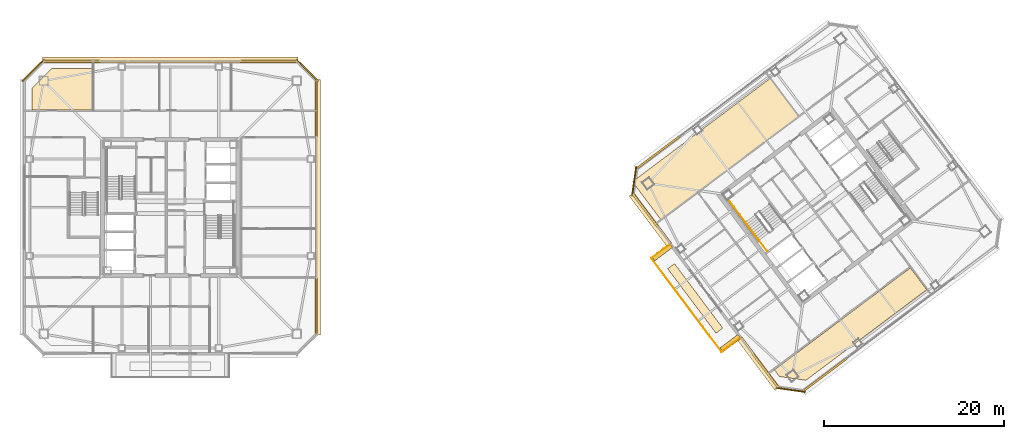
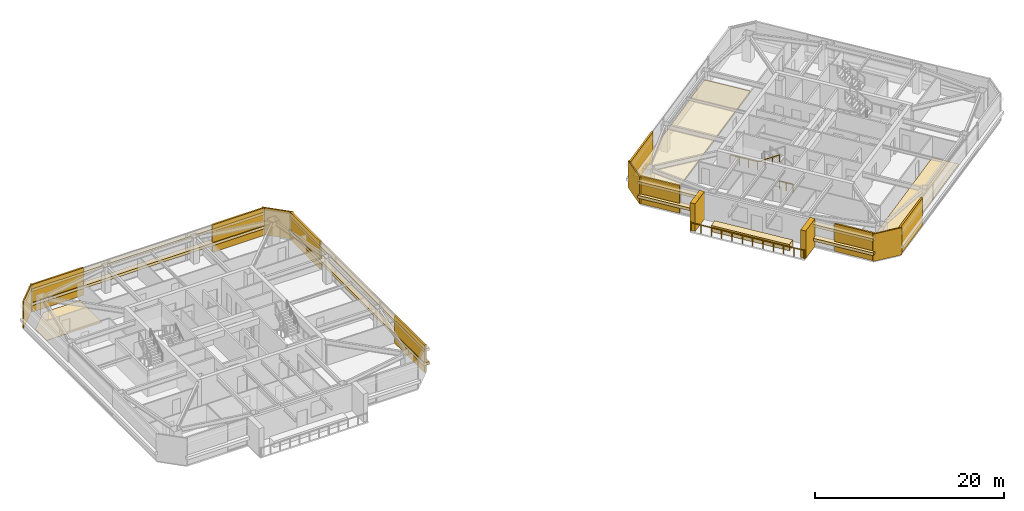
# One storey, part 36 of 39: 26 coverings, 6 railings.
"""IFC4 building model written with IfcOpenShell, lengths in metres."""

from ifc_helpers import new_model, si_unit, direction, frame, origin, origin_2d, place, context, subcontext, project, spatial, polyline, rectangle, outline, extrude, material, layer, layer_set, type_object, element, save


model = new_model("IFC4")

# Units and contexts
model_context = context("Model", 3, precision=1e-05, world=origin(), true_north=direction((0.0, 1.0)))
body_context = subcontext(model_context, "Body", "Model", "MODEL_VIEW")
ifc_project = project(units=[si_unit("LENGTHUNIT", "METRE"), si_unit("AREAUNIT", "SQUARE_METRE"), si_unit("VOLUMEUNIT", "CUBIC_METRE"), si_unit("PLANEANGLEUNIT", "RADIAN"), si_unit("MASSUNIT", "GRAM", prefix="KILO")], contexts=[model_context])

# Site, building, storey
site_placement = place(None, origin())
site = spatial("IfcSite", under=ifc_project, at=site_placement, CompositionType="ELEMENT")
building_placement = place(site_placement, origin())
building = spatial("IfcBuilding", under=site, at=building_placement, Name="Tashvorn Skyway Center", CompositionType="ELEMENT")
storey_placement = place(building_placement, frame((0.0, 0.0, 225.5)))
storey = spatial("IfcBuildingStorey", under=building, at=storey_placement, Name="L61", CompositionType="ELEMENT", Elevation=225.5)

# Coverings
ifc_material_1 = material(Name="Precast concrete C40/50", Category="concrete")
ifc_layer_1 = layer(ifc_material_1, 0.199951171875)
ifc_layer_set_1 = layer_set([ifc_layer_1], Name="Precast concrete C40/50")
covering_type_1 = type_object("IfcCoveringType", Name="COV-BRACE-CLAD", PredefinedType="CLADDING", material=ifc_layer_set_1)
for number, where, z_axis, x_axis, name in (
    (1, (30.97119140625, 48.280029296875, 0.0), (0.0, 0.0, 1.0), (1.0, 0.0, 0.0), "Tower 1 L61 North Unitised Curtain Wall Mega-Brace Cladding Band 1"),
    (2, (53.02880859375, 48.280029296875, 0.0), (0.0, 0.0, 1.0), (1.0, 0.0, 0.0), "Tower 1 L61 North Unitised Curtain Wall Mega-Brace Cladding Band 2"),
    (3, (58.280029296875, 43.02880859375, 0.0), (0.0, 0.0, 1.0), (0.0, -1.0, 0.0), "Tower 1 L61 East Unitised Curtain Wall Mega-Brace Cladding Band 1"),
    (4, (58.280029296875, 20.97119140625, 0.0), (0.0, 0.0, 1.0), (0.0, -1.0, 0.0), "Tower 1 L61 East Unitised Curtain Wall Mega-Brace Cladding Band 2"),
):
    element("IfcCovering", number, at=place(storey_placement, frame(where, z_axis=z_axis, x_axis=x_axis)), inside=storey, type_object=covering_type_1, Name=name, PredefinedType="CLADDING", context=body_context, shape_type="SweptSolid", body=[
        extrude(rectangle(XDim=6.30224609375, YDim=0.199951171875, at=origin_2d()), origin(), (0.0, 0.0, 1.0), 3.550048828125),
    ])
covering_1_placement = place(storey_placement, frame((114.900390625, 13.325439453125, 0.0), z_axis=(0.0, 0.0, 1.0), x_axis=(-0.799999996291, -0.600000004945, 0.0)))
element("IfcCovering", 5, at=covering_1_placement, inside=storey, type_object=covering_type_1, Name="Tower 2 L61 South Unitised Curtain Wall Mega-Brace Cladding Band 2", PredefinedType="CLADDING", context=body_context, shape_type="SweptSolid", body=[
    extrude(rectangle(XDim=5.9912109375, YDim=0.199951171875, at=origin_2d()), origin(), (0.0, 0.0, 1.0), 3.550048828125),
])
for number, where, z_axis, x_axis, name in (
    (6, (108.327880859375, 13.7626953125, 0.0), (0.0, 0.0, 1.0), (-0.600000004945, 0.799999996291, 0.0), "Tower 2 L61 West Curtain Wall L Mega-Brace Cladding Band 1"),
    (7, (94.904052734375, 31.661376953125, 0.0), (0.0, 0.0, 1.0), (-0.600000004945, 0.799999996291, 0.0), "Tower 2 L61 West Curtain Wall R Mega-Brace Cladding Band 1"),
):
    element("IfcCovering", number, at=place(storey_placement, frame(where, z_axis=z_axis, x_axis=x_axis)), inside=storey, type_object=covering_type_1, Name=name, PredefinedType="CLADDING", context=body_context, shape_type="SweptSolid", body=[
        extrude(rectangle(XDim=4.586669921875, YDim=0.199951171875, at=origin_2d()), origin(), (0.0, 0.0, 1.0), 3.550048828125),
    ])
covering_2_placement = place(storey_placement, frame((96.324462890625, 38.09326171875, 0.0), z_axis=(0.0, 0.0, 1.0), x_axis=(0.799999996291, 0.600000004945, 0.0)))
element("IfcCovering", 8, at=covering_2_placement, inside=storey, type_object=covering_type_1, Name="Tower 2 L61 North Unitised Curtain Wall Mega-Brace Cladding Band 1", PredefinedType="CLADDING", context=body_context, shape_type="SweptSolid", body=[
    extrude(rectangle(XDim=5.9912109375, YDim=0.199951171875, at=origin_2d()), origin(), (0.0, 0.0, 1.0), 3.550048828125),
])
ifc_material_2 = material(Name="Mineral-fibre acoustic ceiling tile on suspended grid")
ifc_layer_2 = layer(ifc_material_2, 0.02001953125)
ifc_layer_set_2 = layer_set([ifc_layer_2], Name="Mineral-fibre acoustic ceiling tile on suspended grid")
covering_type_2 = type_object("IfcCoveringType", Name="COV-CEIL-20", PredefinedType="CEILING", material=ifc_layer_set_2)
covering_3_placement = place(storey_placement, frame((0.0, 0.0, 2.702880859375)))
element("IfcCovering", 9, at=covering_3_placement, inside=storey, type_object=covering_type_2, Name="Tower 2 L61 Wellness Clinic Acoustic Ceiling", PredefinedType="CEILING", context=body_context, shape_type="SweptSolid", body=[
    extrude(outline(polyline([(96.659912109375, 30.6201171875), (112.02001953125, 42.139892578125), (108.840087890625, 46.3798828125), (93.47998046875, 34.860107421875), (96.659912109375, 30.6201171875)])), origin(), (0.0, 0.0, 1.0), 0.02001953125),
])
ifc_material_3 = material(Name="Polished Mojave desert-aggregate terrazzo and cover plate")
ifc_layer_3 = layer(ifc_material_3, 0.0400390625)
ifc_layer_set_3 = layer_set([ifc_layer_3], Name="Polished Mojave desert-aggregate terrazzo and cover plate")
covering_type_3 = type_object("IfcCoveringType", Name="COV-FLR-40", PredefinedType="FLOORING", material=ifc_layer_set_3)
covering_4_placement = place(storey_placement, origin())
element("IfcCovering", 10, at=covering_4_placement, inside=storey, type_object=covering_type_3, Name="Tower 1 L61 Conference Room Finish Flooring", PredefinedType="FLOORING", context=body_context, shape_type="SweptSolid", body=[
    extrude(outline(polyline([(33.320068359375, 42.85009765625), (26.580078125, 42.85009765625), (26.580078125, 45.280029296875), (28.800048828125, 47.5), (33.320068359375, 47.5), (33.320068359375, 42.85009765625)])), origin(), (0.0, 0.0, 1.0), 0.0400390625),
])
covering_5_placement = place(storey_placement, origin())
element("IfcCovering", 11, at=covering_5_placement, inside=storey, type_object=covering_type_3, Name="Tower 2 L61 Wellness Clinic Finish Flooring", PredefinedType="FLOORING", context=body_context, shape_type="SweptSolid", body=[
    extrude(outline(polyline([(112.820068359375, 12.739990234375), (109.85205078125, 13.1640625), (109.2939453125, 13.907958984375), (124.446044921875, 25.27197265625), (126.27587890625, 22.83203125), (112.820068359375, 12.739990234375)])), origin(), (0.0, 0.0, 1.0), 0.0400390625),
])
ifc_material_4 = material(Name="Perforated ceramic-coated bronze aluminium solar screen", Category="aluminium")
ifc_layer_4 = layer(ifc_material_4, 0.85009765625)
ifc_layer_set_4 = layer_set([ifc_layer_4], Name="Perforated ceramic-coated bronze aluminium solar screen")
covering_type_4 = type_object("IfcCoveringType", Name="COV-SOLAR-BAND", PredefinedType="CLADDING", material=ifc_layer_set_4)
for number, where, z_axis, x_axis, name in (
    (12, (42.0, 48.419921875, 0.919921875), (0.0, 0.0, 1.0), (1.0, 0.0, 0.0), "L61 Perforated Ceramic-Metal Solar Screen Louvre Band North 1"),
    (13, (42.0, 48.419921875, 2.7197265625), (0.0, 0.0, 1.0), (1.0, 0.0, 0.0), "L61 Perforated Ceramic-Metal Solar Screen Louvre Band North 2"),
    (14, (58.419921875, 32.0, 0.919921875), (0.0, 0.0, 1.0), (0.0, -1.0, 0.0), "L61 Perforated Ceramic-Metal Solar Screen Louvre Band East 1"),
    (15, (58.419921875, 32.0, 2.7197265625), (0.0, 0.0, 1.0), (0.0, -1.0, 0.0), "L61 Perforated Ceramic-Metal Solar Screen Louvre Band East 2"),
):
    element("IfcCovering", number, at=place(storey_placement, frame(where, z_axis=z_axis, x_axis=x_axis)), inside=storey, type_object=covering_type_4, Name=name, PredefinedType="CLADDING", context=body_context, shape_type="SweptSolid", body=[
        extrude(rectangle(XDim=28.47998046875, YDim=0.639892578125, at=origin_2d()), origin(), (0.0, 0.0, 1.0), 0.360107421875),
    ])
for number, where, z_axis, x_axis, name in (
    (16, (107.528076171875, 14.595947265625, 0.919921875), (0.0, 0.0, 1.0), (-0.600000004945, 0.799999996291, 0.0), "L61 Perforated Ceramic-Metal Solar Screen Louvre Band West 1"),
    (17, (107.528076171875, 14.595947265625, 2.7197265625), (0.0, 0.0, 1.0), (-0.600000004945, 0.799999996291, 0.0), "L61 Perforated Ceramic-Metal Solar Screen Louvre Band West 2"),
    (18, (95.47998046875, 30.659912109375, 0.919921875), (0.0, 0.0, 1.0), (-0.600000004945, 0.799999996291, 0.0), "L61 Perforated Ceramic-Metal Solar Screen Louvre Band West 1"),
    (19, (95.47998046875, 30.659912109375, 2.7197265625), (0.0, 0.0, 1.0), (-0.600000004945, 0.799999996291, 0.0), "L61 Perforated Ceramic-Metal Solar Screen Louvre Band West 2"),
):
    element("IfcCovering", number, at=place(storey_placement, frame(where, z_axis=z_axis, x_axis=x_axis)), inside=storey, type_object=covering_type_4, Name=name, PredefinedType="CLADDING", context=body_context, shape_type="SweptSolid", body=[
        extrude(rectangle(XDim=7.0, YDim=0.639892578125, at=origin_2d()), origin(), (0.0, 0.0, 1.0), 0.360107421875),
    ])
ifc_layer_5 = layer(ifc_material_1, 0.35009765625)
ifc_layer_set_5 = layer_set([ifc_layer_5], Name="Precast concrete C40/50")
covering_type_5 = type_object("IfcCoveringType", Name="COV-STONE-TRIM", PredefinedType="CLADDING", material=ifc_layer_set_5)
for number, where, z_axis, x_axis, name in (
    (20, (26.72998046875, 47.27001953125, 0.02001953125), (0.0, 0.0, 1.0), (-0.707106781187, -0.707106781187, 0.0), "Tower 1 L61 NW Mojave Limestone Corner Quoin"),
    (21, (57.27001953125, 47.27001953125, 0.02001953125), (0.0, 0.0, 1.0), (0.707106781187, -0.707106781187, 0.0), "Tower 1 L61 NE Mojave Limestone Corner Quoin"),
):
    element("IfcCovering", number, at=place(storey_placement, frame(where, z_axis=z_axis, x_axis=x_axis)), inside=storey, type_object=covering_type_5, Name=name, PredefinedType="CLADDING", context=body_context, shape_type="SweptSolid", body=[
        extrude(rectangle(XDim=3.41259765625, YDim=0.139892578125, at=origin_2d()), origin(), (0.0, 0.0, 1.0), 3.510009765625),
    ])
for number, where, z_axis, x_axis, name in (
    (22, (104.409912109375, 16.8701171875, 0.0), (0.0, 0.0, 1.0), (-0.600000004945, 0.799999996291, 0.0), "Tower 2 L61 Sky Garden Loggia Pier L"),
    (23, (96.7900390625, 27.030029296875, 0.0), (0.0, 0.0, 1.0), (-0.600000004945, 0.799999996291, 0.0), "Tower 2 L61 Sky Garden Loggia Pier R"),
):
    element("IfcCovering", number, at=place(storey_placement, frame(where, z_axis=z_axis, x_axis=x_axis)), inside=storey, type_object=covering_type_5, Name=name, PredefinedType="CLADDING", context=body_context, shape_type="SweptSolid", body=[
        extrude(rectangle(XDim=0.580078125, YDim=2.5, at=origin_2d()), origin(), (0.0, 0.0, 1.0), 3.550048828125),
    ])
covering_6_placement = place(storey_placement, frame((100.47998046875, 21.860107421875, 0.0), z_axis=(0.0, 0.0, 1.0), x_axis=(-0.600000004945, 0.799999996291, 0.0)))
element("IfcCovering", 24, at=covering_6_placement, inside=storey, type_object=covering_type_5, Name="Tower 2 L61 Sky Garden Stone Planter Bed", PredefinedType="CLADDING", context=body_context, shape_type="SweptSolid", body=[
    extrude(rectangle(XDim=8.97607421875, YDim=0.949951171875, at=origin_2d()), origin(), (0.0, 0.0, 1.0), 0.800048828125),
])
for number, where, z_axis, x_axis, name in (
    (25, (111.095947265625, 11.672119140625, 0.02001953125), (0.0, 0.0, 1.0), (-0.989949494535, 0.141421350118, 0.0), "Tower 2 L61 SW Mojave Limestone Corner Quoin"),
    (26, (93.672119140625, 34.904052734375, 0.02001953125), (0.0, 0.0, 1.0), (-0.141421350118, -0.989949494535, 0.0), "Tower 2 L61 NW Mojave Limestone Corner Quoin"),
):
    element("IfcCovering", number, at=place(storey_placement, frame(where, z_axis=z_axis, x_axis=x_axis)), inside=storey, type_object=covering_type_5, Name=name, PredefinedType="CLADDING", context=body_context, shape_type="SweptSolid", body=[
        extrude(rectangle(XDim=3.271240234375, YDim=0.139892578125, at=origin_2d()), origin(), (0.0, 0.0, 1.0), 3.510009765625),
    ])

# Railings
ifc_material_5 = material(Name="Galvanized steel S355", Category="steel")
railing_type_1 = type_object("IfcRailingType", Name="RAIL-GUARD-1120", PredefinedType="GUARDRAIL", material=ifc_material_5)
railing_1_placement = place(storey_placement, frame((105.431884765625, 17.424072265625, 0.0)))
element("IfcRailing", 27, at=railing_1_placement, inside=storey, type_object=railing_type_1, Name="L61 Tower 2 Terrace Guardrail 01", PredefinedType="GUARDRAIL", context=body_context, shape_type="SweptSolid", body=[
    extrude(rectangle(XDim=0.048095703125, YDim=0.048095703125, at=origin_2d()), frame((0.0, 0.0, 1.09619140625), z_axis=(-0.79998837352, -0.60001550166, 0.0), x_axis=(0.60001550166, -0.79998837352, 0.0)), (0.0, 0.0, 1.0), 2.519775390625),
    extrude(rectangle(XDim=0.0419921875, YDim=0.0419921875, at=origin_2d()), origin(), (0.0, 0.0, 1.0), 1.072021484375),
    extrude(rectangle(XDim=0.0419921875, YDim=0.0419921875, at=origin_2d()), frame((-0.671875, -0.50390625, 0.0)), (0.0, 0.0, 1.0), 1.072021484375),
    extrude(rectangle(XDim=0.0419921875, YDim=0.0419921875, at=origin_2d()), frame((-1.343994140625, -1.008056640625, 0.0)), (0.0, 0.0, 1.0), 1.072021484375),
    extrude(rectangle(XDim=0.0419921875, YDim=0.0419921875, at=origin_2d()), frame((-2.015869140625, -1.511962890625, 0.0)), (0.0, 0.0, 1.0), 1.072021484375),
])
railing_2_placement = place(storey_placement, frame((103.416015625, 15.912109375, 0.0)))
element("IfcRailing", 28, at=railing_2_placement, inside=storey, type_object=railing_type_1, Name="L61 Tower 2 Terrace Guardrail 02", PredefinedType="GUARDRAIL", context=body_context, shape_type="SweptSolid", body=[
    extrude(rectangle(XDim=0.048095703125, YDim=0.048095703125, at=origin_2d()), frame((0.0, 0.0, 1.09619140625), z_axis=(-0.600002995611, 0.799997753283, 0.0), x_axis=(-0.799997753283, -0.600002995611, 0.0)), (0.0, 0.0, 1.0), 13.039794921875),
    extrude(rectangle(XDim=0.0419921875, YDim=0.0419921875, at=origin_2d()), origin(), (0.0, 0.0, 1.0), 1.072021484375),
    extrude(rectangle(XDim=0.0419921875, YDim=0.0419921875, at=origin_2d()), frame((-0.711181640625, 0.9482421875, 0.0)), (0.0, 0.0, 1.0), 1.072021484375),
    extrude(rectangle(XDim=0.0419921875, YDim=0.0419921875, at=origin_2d()), frame((-1.422607421875, 1.896728515625, 0.0)), (0.0, 0.0, 1.0), 1.072021484375),
    extrude(rectangle(XDim=0.0419921875, YDim=0.0419921875, at=origin_2d()), frame((-2.1337890625, 2.844970703125, 0.0)), (0.0, 0.0, 1.0), 1.072021484375),
    extrude(rectangle(XDim=0.0419921875, YDim=0.0419921875, at=origin_2d()), frame((-2.844970703125, 3.79345703125, 0.0)), (0.0, 0.0, 1.0), 1.072021484375),
    extrude(rectangle(XDim=0.0419921875, YDim=0.0419921875, at=origin_2d()), frame((-3.556396484375, 4.74169921875, 0.0)), (0.0, 0.0, 1.0), 1.072021484375),
    extrude(rectangle(XDim=0.0419921875, YDim=0.0419921875, at=origin_2d()), frame((-4.267578125, 5.690185546875, 0.0)), (0.0, 0.0, 1.0), 1.072021484375),
    extrude(rectangle(XDim=0.0419921875, YDim=0.0419921875, at=origin_2d()), frame((-4.97900390625, 6.638427734375, 0.0)), (0.0, 0.0, 1.0), 1.072021484375),
    extrude(rectangle(XDim=0.0419921875, YDim=0.0419921875, at=origin_2d()), frame((-5.690185546875, 7.5869140625, 0.0)), (0.0, 0.0, 1.0), 1.072021484375),
    extrude(rectangle(XDim=0.0419921875, YDim=0.0419921875, at=origin_2d()), frame((-6.4013671875, 8.53515625, 0.0)), (0.0, 0.0, 1.0), 1.072021484375),
    extrude(rectangle(XDim=0.0419921875, YDim=0.0419921875, at=origin_2d()), frame((-7.11279296875, 9.483642578125, 0.0)), (0.0, 0.0, 1.0), 1.072021484375),
    extrude(rectangle(XDim=0.0419921875, YDim=0.0419921875, at=origin_2d()), frame((-7.823974609375, 10.431884765625, 0.0)), (0.0, 0.0, 1.0), 1.072021484375),
])
railing_3_placement = place(storey_placement, frame((95.592041015625, 26.343994140625, 0.0)))
element("IfcRailing", 29, at=railing_3_placement, inside=storey, type_object=railing_type_1, Name="L61 Tower 2 Terrace Guardrail 03", PredefinedType="GUARDRAIL", context=body_context, shape_type="SweptSolid", body=[
    extrude(rectangle(XDim=0.048095703125, YDim=0.048095703125, at=origin_2d()), frame((0.0, 0.0, 1.09619140625), z_axis=(0.79998837352, 0.60001550166, 0.0), x_axis=(-0.60001550166, 0.79998837352, 0.0)), (0.0, 0.0, 1.0), 2.519775390625),
    extrude(rectangle(XDim=0.0419921875, YDim=0.0419921875, at=origin_2d()), origin(), (0.0, 0.0, 1.0), 1.072021484375),
    extrude(rectangle(XDim=0.0419921875, YDim=0.0419921875, at=origin_2d()), frame((0.671875, 0.50390625, 0.0)), (0.0, 0.0, 1.0), 1.072021484375),
    extrude(rectangle(XDim=0.0419921875, YDim=0.0419921875, at=origin_2d()), frame((1.343994140625, 1.008056640625, 0.0)), (0.0, 0.0, 1.0), 1.072021484375),
    extrude(rectangle(XDim=0.0419921875, YDim=0.0419921875, at=origin_2d()), frame((2.015869140625, 1.511962890625, 0.0)), (0.0, 0.0, 1.0), 1.072021484375),
])
ifc_material_6 = material(Name="Brushed stainless steel 316", Category="steel")
railing_type_2 = type_object("IfcRailingType", Name="RAIL-HAND-920", PredefinedType="HANDRAIL", material=ifc_material_6)
railing_4_placement = place(storey_placement, frame((106.072021484375, 30.35400390625, 1.952392578125)))
element("IfcRailing", 30, at=railing_4_placement, inside=storey, type_object=railing_type_2, Name="L61 ST-T2-1 stair handrail 2", PredefinedType="HANDRAIL", context=body_context, shape_type="SweptSolid", body=[
    extrude(rectangle(XDim=0.048095703125, YDim=0.048095703125, at=origin_2d()), frame((0.0, 0.0, 0.8759765625), z_axis=(0.506718600913, -0.675679348675, 0.535437836974), x_axis=(0.800023250257, 0.599968998406, 0.0)), (0.0, 0.0, 1.0), 2.98388671875),
    extrude(rectangle(XDim=0.0419921875, YDim=0.0419921875, at=origin_2d()), origin(), (0.0, 0.0, 1.0), 0.851806640625),
    extrude(rectangle(XDim=0.0419921875, YDim=0.0419921875, at=origin_2d()), frame((0.50390625, -0.672119140625, 0.532470703125)), (0.0, 0.0, 1.0), 0.851806640625),
    extrude(rectangle(XDim=0.0419921875, YDim=0.0419921875, at=origin_2d()), frame((1.008056640625, -1.343994140625, 1.065185546875)), (0.0, 0.0, 1.0), 0.851806640625),
    extrude(rectangle(XDim=0.0419921875, YDim=0.0419921875, at=origin_2d()), frame((1.511962890625, -2.01611328125, 1.59765625)), (0.0, 0.0, 1.0), 0.851806640625),
])
ifc_material_7 = material(Name="Painted galvanized steel S355", Category="steel")
railing_type_3 = type_object("IfcRailingType", Name="RAIL-STGUARD-1100", PredefinedType="GUARDRAIL", material=ifc_material_7)
railing_5_placement = place(storey_placement, frame((106.072021484375, 30.35400390625, 1.77490234375)))
element("IfcRailing", 31, at=railing_5_placement, inside=storey, type_object=railing_type_3, Name="L61 ST-T2-1 stair guard 3", PredefinedType="GUARDRAIL", context=body_context, shape_type="SweptSolid", body=[
    extrude(rectangle(XDim=0.048095703125, YDim=0.048095703125, at=origin_2d()), frame((0.0, 0.0, 1.076171875), z_axis=(-0.599987638607, 0.800009270896, 0.0), x_axis=(-0.800009270896, -0.599987638607, 0.0)), (0.0, 0.0, 1.0), 3.16015625),
    extrude(rectangle(XDim=0.0419921875, YDim=0.0419921875, at=origin_2d()), origin(), (0.0, 0.0, 1.0), 1.052001953125),
    extrude(rectangle(XDim=0.0419921875, YDim=0.0419921875, at=origin_2d()), frame((-0.632080078125, 0.8427734375, 0.0)), (0.0, 0.0, 1.0), 1.052001953125),
    extrude(rectangle(XDim=0.0419921875, YDim=0.0419921875, at=origin_2d()), frame((-1.263916015625, 1.685302734375, 0.0)), (0.0, 0.0, 1.0), 1.052001953125),
    extrude(rectangle(XDim=0.0419921875, YDim=0.0419921875, at=origin_2d()), frame((-1.89599609375, 2.528076171875, 0.0)), (0.0, 0.0, 1.0), 1.052001953125),
])
railing_6_placement = place(storey_placement, frame((108.49609375, 27.1220703125, 0.0)))
element("IfcRailing", 32, at=railing_6_placement, inside=storey, type_object=railing_type_3, Name="L61 ST-T2-1 stair guard 6", PredefinedType="GUARDRAIL", context=body_context, shape_type="SweptSolid", body=[
    extrude(rectangle(XDim=0.048095703125, YDim=0.048095703125, at=origin_2d()), frame((0.0, 0.0, 1.076171875), z_axis=(-0.600102796382, 0.799922892393, 0.0), x_axis=(-0.799922892393, -0.600102796382, 0.0)), (0.0, 0.0, 1.0), 1.52001953125),
    extrude(rectangle(XDim=0.0419921875, YDim=0.0419921875, at=origin_2d()), origin(), (0.0, 0.0, 1.0), 1.052001953125),
    extrude(rectangle(XDim=0.0419921875, YDim=0.0419921875, at=origin_2d()), frame((-0.4560546875, 0.60791015625, 0.0)), (0.0, 0.0, 1.0), 1.052001953125),
    extrude(rectangle(XDim=0.0419921875, YDim=0.0419921875, at=origin_2d()), frame((-0.912109375, 1.2158203125, 0.0)), (0.0, 0.0, 1.0), 1.052001953125),
])

save(model, "model.ifc")
